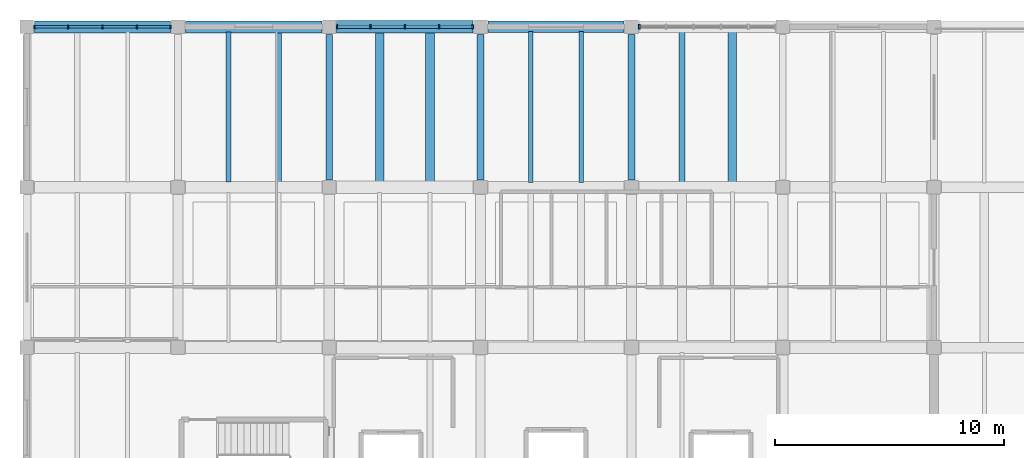
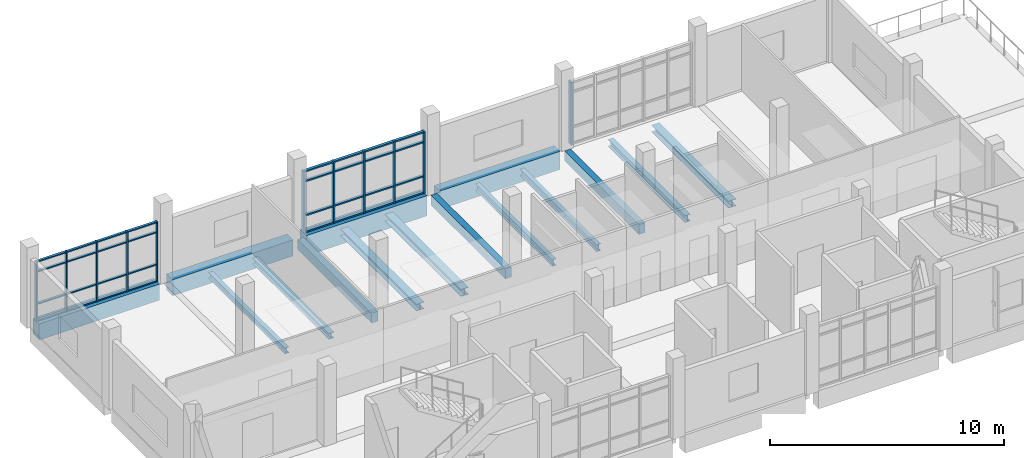
# One storey, part 4 of 14: 43 members, 15 beams, 3 elements without a shape of their own.
"""IFC4 building model written with IfcOpenShell, lengths in metres."""

from ifc_helpers import new_model, si_unit, direction, frame, origin, origin_2d, place, context, subcontext, project, spatial, rectangle, i_section, extrude, material, material_profile, profile_set, type_object, element, aggregate, save


model = new_model("IFC4")

# Units and contexts
model_context = context("Model", 3, precision=1e-05, world=origin(), true_north=direction((0.0, 1.0)))
body_context = subcontext(model_context, "Body", "Model", "MODEL_VIEW")
ifc_project = project(units=[si_unit("LENGTHUNIT", "METRE"), si_unit("AREAUNIT", "SQUARE_METRE"), si_unit("VOLUMEUNIT", "CUBIC_METRE"), si_unit("PLANEANGLEUNIT", "RADIAN"), si_unit("MASSUNIT", "GRAM", prefix="KILO")], contexts=[model_context])

# Site, building, storey
site_placement = place(None, origin())
site = spatial("IfcSite", under=ifc_project, at=site_placement, CompositionType="ELEMENT")
building_placement = place(site_placement, origin())
building = spatial("IfcBuilding", under=site, at=building_placement, Name="Ciguamira Faculty of Natural Sciences", CompositionType="ELEMENT")
storey_placement = place(building_placement, frame((0.0, 0.0, 29.39990234375)))
storey = spatial("IfcBuildingStorey", under=building, at=storey_placement, Name="L07", CompositionType="ELEMENT", Elevation=29.39990234375)

# Curtain wall, members
ifc_material_1 = material(Name="Anodized aluminium curtain wall", Category="aluminium")
curtain_wall_type_1 = type_object("IfcCurtainWallType", Name="CurtainWall_CW-07", PredefinedType="USERDEFINED", material=ifc_material_1)
curtain_wall_1_placement = place(storey_placement, origin())
curtain_wall_1 = element("IfcCurtainWall", 1, at=curtain_wall_1_placement, inside=storey, type_object=curtain_wall_type_1, Name="L07 unitised curtain wall 0151", ObjectType="UNITISED CURTAIN WALL", PredefinedType="USERDEFINED")
ifc_material_2 = material(Name="Anodized aluminium mullion", Category="aluminium")
ifc_material_profile_1 = material_profile(ifc_material_2, rectangle(XDim=0.06005859375, YDim=0.159912109375, at=origin_2d()), Name="ALU-MUL-60X160")
ifc_profile_set_1 = profile_set([ifc_material_profile_1], Name="Anodized aluminium mullion")
member_type_1 = type_object("IfcMemberType", Name="CWMullion_CWM-01", PredefinedType="MULLION", material=ifc_profile_set_1)
member_1_placement = place(storey_placement, frame((64.22998046875, 115.0, 0.0), z_axis=(0.0, 0.0, 1.0), x_axis=(1.0, 0.0, 0.0)))
member_1 = element("IfcMember", 2, at=member_1_placement, type_object=member_type_1, Name="CW-07 mullion 1", PredefinedType="MULLION", context=body_context, shape_type="SweptSolid", body=[
    extrude(rectangle(XDim=0.06005859375, YDim=0.159912109375, at=origin_2d()), origin(), (0.0, 0.0, 1.0), 3.135009765625),
])
member_2_placement = place(storey_placement, frame((65.699951171875, 115.0, 0.0), z_axis=(0.0, 0.0, 1.0), x_axis=(1.0, 0.0, 0.0)))
member_2 = element("IfcMember", 3, at=member_2_placement, type_object=member_type_1, Name="CW-07 mullion 2", PredefinedType="MULLION", context=body_context, shape_type="SweptSolid", body=[
    extrude(rectangle(XDim=0.06005859375, YDim=0.159912109375, at=origin_2d()), origin(), (0.0, 0.0, 1.0), 3.135009765625),
])
member_3_placement = place(storey_placement, frame((67.199951171875, 115.0, 0.0), z_axis=(0.0, 0.0, 1.0), x_axis=(1.0, 0.0, 0.0)))
member_3 = element("IfcMember", 4, at=member_3_placement, type_object=member_type_1, Name="CW-07 mullion 3", PredefinedType="MULLION", context=body_context, shape_type="SweptSolid", body=[
    extrude(rectangle(XDim=0.06005859375, YDim=0.159912109375, at=origin_2d()), origin(), (0.0, 0.0, 1.0), 3.135009765625),
])
member_4_placement = place(storey_placement, frame((68.699951171875, 115.0, 0.0), z_axis=(0.0, 0.0, 1.0), x_axis=(1.0, 0.0, 0.0)))
member_4 = element("IfcMember", 5, at=member_4_placement, type_object=member_type_1, Name="CW-07 mullion 4", PredefinedType="MULLION", context=body_context, shape_type="SweptSolid", body=[
    extrude(rectangle(XDim=0.06005859375, YDim=0.159912109375, at=origin_2d()), origin(), (0.0, 0.0, 1.0), 3.135009765625),
])
member_5_placement = place(storey_placement, frame((70.169921875, 115.0, 0.0), z_axis=(0.0, 0.0, 1.0), x_axis=(1.0, 0.0, 0.0)))
member_5 = element("IfcMember", 6, at=member_5_placement, type_object=member_type_1, Name="CW-07 mullion 5", PredefinedType="MULLION", context=body_context, shape_type="SweptSolid", body=[
    extrude(rectangle(XDim=0.06005859375, YDim=0.159912109375, at=origin_2d()), origin(), (0.0, 0.0, 1.0), 3.135009765625),
])

curtain_wall_type_2 = type_object("IfcCurtainWallType", Name="CurtainWall_CW-08", PredefinedType="USERDEFINED", material=ifc_material_1)
curtain_wall_2_placement = place(storey_placement, origin())
curtain_wall_2 = element("IfcCurtainWall", 7, at=curtain_wall_2_placement, inside=storey, type_object=curtain_wall_type_2, Name="L07 unitised curtain wall 0152", ObjectType="UNITISED CURTAIN WALL", PredefinedType="USERDEFINED")
ifc_material_profile_2 = material_profile(ifc_material_2, rectangle(XDim=0.070068359375, YDim=0.179931640625, at=origin_2d()), Name="ALU-MUL-70X180")
ifc_profile_set_2 = profile_set([ifc_material_profile_2], Name="Anodized aluminium mullion")
member_type_2 = type_object("IfcMemberType", Name="CWMullion_CWM-02", PredefinedType="MULLION", material=ifc_profile_set_2)
member_6_placement = place(storey_placement, frame((77.43505859375, 115.0, 0.0), z_axis=(0.0, 0.0, 1.0), x_axis=(1.0, 0.0, 0.0)))
member_6 = element("IfcMember", 8, at=member_6_placement, type_object=member_type_2, Name="CW-08 mullion 1", PredefinedType="MULLION", context=body_context, shape_type="SweptSolid", body=[
    extrude(rectangle(XDim=0.070068359375, YDim=0.179931640625, at=origin_2d()), origin(), (0.0, 0.0, 1.0), 3.235107421875),
])
member_7_placement = place(storey_placement, frame((78.89990234375, 115.0, 0.0), z_axis=(0.0, 0.0, 1.0), x_axis=(1.0, 0.0, 0.0)))
member_7 = element("IfcMember", 9, at=member_7_placement, type_object=member_type_2, Name="CW-08 mullion 2", PredefinedType="MULLION", context=body_context, shape_type="SweptSolid", body=[
    extrude(rectangle(XDim=0.070068359375, YDim=0.179931640625, at=origin_2d()), origin(), (0.0, 0.0, 1.0), 3.235107421875),
])
member_8_placement = place(storey_placement, frame((80.39990234375, 115.0, 0.0), z_axis=(0.0, 0.0, 1.0), x_axis=(1.0, 0.0, 0.0)))
member_8 = element("IfcMember", 10, at=member_8_placement, type_object=member_type_2, Name="CW-08 mullion 3", PredefinedType="MULLION", context=body_context, shape_type="SweptSolid", body=[
    extrude(rectangle(XDim=0.070068359375, YDim=0.179931640625, at=origin_2d()), origin(), (0.0, 0.0, 1.0), 3.235107421875),
])
member_9_placement = place(storey_placement, frame((81.89990234375, 115.0, 0.0), z_axis=(0.0, 0.0, 1.0), x_axis=(1.0, 0.0, 0.0)))
member_9 = element("IfcMember", 11, at=member_9_placement, type_object=member_type_2, Name="CW-08 mullion 4", PredefinedType="MULLION", context=body_context, shape_type="SweptSolid", body=[
    extrude(rectangle(XDim=0.070068359375, YDim=0.179931640625, at=origin_2d()), origin(), (0.0, 0.0, 1.0), 3.235107421875),
])
member_10_placement = place(storey_placement, frame((83.364990234375, 115.0, 0.0), z_axis=(0.0, 0.0, 1.0), x_axis=(1.0, 0.0, 0.0)))
member_10 = element("IfcMember", 12, at=member_10_placement, type_object=member_type_2, Name="CW-08 mullion 5", PredefinedType="MULLION", context=body_context, shape_type="SweptSolid", body=[
    extrude(rectangle(XDim=0.070068359375, YDim=0.179931640625, at=origin_2d()), origin(), (0.0, 0.0, 1.0), 3.235107421875),
])

# Curtain wall, member
curtain_wall_type_3 = type_object("IfcCurtainWallType", Name="CurtainWall_CW-09", PredefinedType="USERDEFINED", material=ifc_material_1)
curtain_wall_3_placement = place(storey_placement, origin())
curtain_wall_3 = element("IfcCurtainWall", 13, at=curtain_wall_3_placement, inside=storey, type_object=curtain_wall_type_3, Name="L07 unitised curtain wall 0153", ObjectType="UNITISED CURTAIN WALL", PredefinedType="USERDEFINED")
ifc_material_profile_3 = material_profile(ifc_material_2, rectangle(XDim=0.080078125, YDim=0.219970703125, at=origin_2d()), Name="ALU-MUL-80X220")
ifc_profile_set_3 = profile_set([ifc_material_profile_3], Name="Anodized aluminium mullion")
member_type_3 = type_object("IfcMemberType", Name="CWMullion_CWM-03", PredefinedType="MULLION", material=ifc_profile_set_3)
member_11_placement = place(storey_placement, frame((90.639892578125, 115.0, 0.0), z_axis=(0.0, 0.0, 1.0), x_axis=(1.0, 0.0, 0.0)))
member_11 = element("IfcMember", 14, at=member_11_placement, type_object=member_type_3, Name="CW-09 mullion 1", PredefinedType="MULLION", context=body_context, shape_type="SweptSolid", body=[
    extrude(rectangle(XDim=0.080078125, YDim=0.219970703125, at=origin_2d()), origin(), (0.0, 0.0, 1.0), 3.28515625),
])
aggregate(curtain_wall_3, [member_11])

# Member
ifc_material_3 = material(Name="Anodized aluminium transom", Category="aluminium")
ifc_material_profile_4 = material_profile(ifc_material_3, rectangle(XDim=0.06005859375, YDim=0.1201171875, at=origin_2d()), Name="ALU-TRN-60X120")
ifc_profile_set_4 = profile_set([ifc_material_profile_4], Name="Anodized aluminium transom")
member_type_4 = type_object("IfcMemberType", Name="CWTransom_CWT-01", PredefinedType="USERDEFINED", material=ifc_profile_set_4)
member_12_placement = place(storey_placement, frame((64.260009765625, 115.0, 0.030029296875), z_axis=(1.0, 0.0, 0.0), x_axis=(0.0, 0.0, 1.0)))
member_12 = element("IfcMember", 15, at=member_12_placement, type_object=member_type_4, Name="CW-07 transom 1.1", ObjectType="TRANSOM", PredefinedType="USERDEFINED", context=body_context, shape_type="SweptSolid", body=[
    extrude(rectangle(XDim=0.06005859375, YDim=0.1201171875, at=origin_2d()), origin(), (0.0, 0.0, 1.0), 1.409912109375),
])

member_13_placement = place(storey_placement, frame((64.260009765625, 115.0, 0.900146484375), z_axis=(1.0, 0.0, 0.0), x_axis=(0.0, 0.0, 1.0)))
member_13 = element("IfcMember", 16, at=member_13_placement, type_object=member_type_4, Name="CW-07 transom 1.2", ObjectType="TRANSOM", PredefinedType="USERDEFINED", context=body_context, shape_type="SweptSolid", body=[
    extrude(rectangle(XDim=0.06005859375, YDim=0.1201171875, at=origin_2d()), origin(), (0.0, 0.0, 1.0), 1.409912109375),
])

member_14_placement = place(storey_placement, frame((64.260009765625, 115.0, 2.585205078125), z_axis=(1.0, 0.0, 0.0), x_axis=(0.0, 0.0, 1.0)))
member_14 = element("IfcMember", 17, at=member_14_placement, type_object=member_type_4, Name="CW-07 transom 1.3", ObjectType="TRANSOM", PredefinedType="USERDEFINED", context=body_context, shape_type="SweptSolid", body=[
    extrude(rectangle(XDim=0.06005859375, YDim=0.1201171875, at=origin_2d()), origin(), (0.0, 0.0, 1.0), 1.409912109375),
])

member_15_placement = place(storey_placement, frame((64.260009765625, 115.0, 3.10498046875), z_axis=(1.0, 0.0, 0.0), x_axis=(0.0, 0.0, 1.0)))
member_15 = element("IfcMember", 18, at=member_15_placement, type_object=member_type_4, Name="CW-07 transom 1.4", ObjectType="TRANSOM", PredefinedType="USERDEFINED", context=body_context, shape_type="SweptSolid", body=[
    extrude(rectangle(XDim=0.06005859375, YDim=0.1201171875, at=origin_2d()), origin(), (0.0, 0.0, 1.0), 1.409912109375),
])

member_16_placement = place(storey_placement, frame((65.72998046875, 115.0, 0.030029296875), z_axis=(1.0, 0.0, 0.0), x_axis=(0.0, 0.0, 1.0)))
member_16 = element("IfcMember", 19, at=member_16_placement, type_object=member_type_4, Name="CW-07 transom 2.1", ObjectType="TRANSOM", PredefinedType="USERDEFINED", context=body_context, shape_type="SweptSolid", body=[
    extrude(rectangle(XDim=0.06005859375, YDim=0.1201171875, at=origin_2d()), origin(), (0.0, 0.0, 1.0), 1.43994140625),
])

member_17_placement = place(storey_placement, frame((65.72998046875, 115.0, 0.900146484375), z_axis=(1.0, 0.0, 0.0), x_axis=(0.0, 0.0, 1.0)))
member_17 = element("IfcMember", 20, at=member_17_placement, type_object=member_type_4, Name="CW-07 transom 2.2", ObjectType="TRANSOM", PredefinedType="USERDEFINED", context=body_context, shape_type="SweptSolid", body=[
    extrude(rectangle(XDim=0.06005859375, YDim=0.1201171875, at=origin_2d()), origin(), (0.0, 0.0, 1.0), 1.43994140625),
])

member_18_placement = place(storey_placement, frame((65.72998046875, 115.0, 2.585205078125), z_axis=(1.0, 0.0, 0.0), x_axis=(0.0, 0.0, 1.0)))
member_18 = element("IfcMember", 21, at=member_18_placement, type_object=member_type_4, Name="CW-07 transom 2.3", ObjectType="TRANSOM", PredefinedType="USERDEFINED", context=body_context, shape_type="SweptSolid", body=[
    extrude(rectangle(XDim=0.06005859375, YDim=0.1201171875, at=origin_2d()), origin(), (0.0, 0.0, 1.0), 1.43994140625),
])

member_19_placement = place(storey_placement, frame((65.72998046875, 115.0, 3.10498046875), z_axis=(1.0, 0.0, 0.0), x_axis=(0.0, 0.0, 1.0)))
member_19 = element("IfcMember", 22, at=member_19_placement, type_object=member_type_4, Name="CW-07 transom 2.4", ObjectType="TRANSOM", PredefinedType="USERDEFINED", context=body_context, shape_type="SweptSolid", body=[
    extrude(rectangle(XDim=0.06005859375, YDim=0.1201171875, at=origin_2d()), origin(), (0.0, 0.0, 1.0), 1.43994140625),
])

member_20_placement = place(storey_placement, frame((67.22998046875, 115.0, 0.030029296875), z_axis=(1.0, 0.0, 0.0), x_axis=(0.0, 0.0, 1.0)))
member_20 = element("IfcMember", 23, at=member_20_placement, type_object=member_type_4, Name="CW-07 transom 3.1", ObjectType="TRANSOM", PredefinedType="USERDEFINED", context=body_context, shape_type="SweptSolid", body=[
    extrude(rectangle(XDim=0.06005859375, YDim=0.1201171875, at=origin_2d()), origin(), (0.0, 0.0, 1.0), 1.43994140625),
])

member_21_placement = place(storey_placement, frame((67.22998046875, 115.0, 0.900146484375), z_axis=(1.0, 0.0, 0.0), x_axis=(0.0, 0.0, 1.0)))
member_21 = element("IfcMember", 24, at=member_21_placement, type_object=member_type_4, Name="CW-07 transom 3.2", ObjectType="TRANSOM", PredefinedType="USERDEFINED", context=body_context, shape_type="SweptSolid", body=[
    extrude(rectangle(XDim=0.06005859375, YDim=0.1201171875, at=origin_2d()), origin(), (0.0, 0.0, 1.0), 1.43994140625),
])

member_22_placement = place(storey_placement, frame((67.22998046875, 115.0, 2.585205078125), z_axis=(1.0, 0.0, 0.0), x_axis=(0.0, 0.0, 1.0)))
member_22 = element("IfcMember", 25, at=member_22_placement, type_object=member_type_4, Name="CW-07 transom 3.3", ObjectType="TRANSOM", PredefinedType="USERDEFINED", context=body_context, shape_type="SweptSolid", body=[
    extrude(rectangle(XDim=0.06005859375, YDim=0.1201171875, at=origin_2d()), origin(), (0.0, 0.0, 1.0), 1.43994140625),
])

member_23_placement = place(storey_placement, frame((67.22998046875, 115.0, 3.10498046875), z_axis=(1.0, 0.0, 0.0), x_axis=(0.0, 0.0, 1.0)))
member_23 = element("IfcMember", 26, at=member_23_placement, type_object=member_type_4, Name="CW-07 transom 3.4", ObjectType="TRANSOM", PredefinedType="USERDEFINED", context=body_context, shape_type="SweptSolid", body=[
    extrude(rectangle(XDim=0.06005859375, YDim=0.1201171875, at=origin_2d()), origin(), (0.0, 0.0, 1.0), 1.43994140625),
])

member_24_placement = place(storey_placement, frame((68.72998046875, 115.0, 0.030029296875), z_axis=(1.0, 0.0, 0.0), x_axis=(0.0, 0.0, 1.0)))
member_24 = element("IfcMember", 27, at=member_24_placement, type_object=member_type_4, Name="CW-07 transom 4.1", ObjectType="TRANSOM", PredefinedType="USERDEFINED", context=body_context, shape_type="SweptSolid", body=[
    extrude(rectangle(XDim=0.06005859375, YDim=0.1201171875, at=origin_2d()), origin(), (0.0, 0.0, 1.0), 1.409912109375),
])

member_25_placement = place(storey_placement, frame((68.72998046875, 115.0, 0.900146484375), z_axis=(1.0, 0.0, 0.0), x_axis=(0.0, 0.0, 1.0)))
member_25 = element("IfcMember", 28, at=member_25_placement, type_object=member_type_4, Name="CW-07 transom 4.2", ObjectType="TRANSOM", PredefinedType="USERDEFINED", context=body_context, shape_type="SweptSolid", body=[
    extrude(rectangle(XDim=0.06005859375, YDim=0.1201171875, at=origin_2d()), origin(), (0.0, 0.0, 1.0), 1.409912109375),
])

member_26_placement = place(storey_placement, frame((68.72998046875, 115.0, 2.585205078125), z_axis=(1.0, 0.0, 0.0), x_axis=(0.0, 0.0, 1.0)))
member_26 = element("IfcMember", 29, at=member_26_placement, type_object=member_type_4, Name="CW-07 transom 4.3", ObjectType="TRANSOM", PredefinedType="USERDEFINED", context=body_context, shape_type="SweptSolid", body=[
    extrude(rectangle(XDim=0.06005859375, YDim=0.1201171875, at=origin_2d()), origin(), (0.0, 0.0, 1.0), 1.409912109375),
])

member_27_placement = place(storey_placement, frame((68.72998046875, 115.0, 3.10498046875), z_axis=(1.0, 0.0, 0.0), x_axis=(0.0, 0.0, 1.0)))
member_27 = element("IfcMember", 30, at=member_27_placement, type_object=member_type_4, Name="CW-07 transom 4.4", ObjectType="TRANSOM", PredefinedType="USERDEFINED", context=body_context, shape_type="SweptSolid", body=[
    extrude(rectangle(XDim=0.06005859375, YDim=0.1201171875, at=origin_2d()), origin(), (0.0, 0.0, 1.0), 1.409912109375),
])

aggregate(curtain_wall_1, [member_1, member_2, member_3, member_4, member_5, member_12, member_13, member_14, member_15, member_16, member_17, member_18, member_19, member_20, member_21, member_22, member_23, member_24, member_25, member_26, member_27])

ifc_material_profile_5 = material_profile(ifc_material_3, rectangle(XDim=0.070068359375, YDim=0.139892578125, at=origin_2d()), Name="ALU-TRN-70X140")
ifc_profile_set_5 = profile_set([ifc_material_profile_5], Name="Anodized aluminium transom")
member_type_5 = type_object("IfcMemberType", Name="CWTransom_CWT-02", PredefinedType="USERDEFINED", material=ifc_profile_set_5)
member_28_placement = place(storey_placement, frame((77.469970703125, 115.0, 0.03515625), z_axis=(1.0, 0.0, 0.0), x_axis=(0.0, 0.0, 1.0)))
member_28 = element("IfcMember", 31, at=member_28_placement, type_object=member_type_5, Name="CW-08 transom 1.1", ObjectType="TRANSOM", PredefinedType="USERDEFINED", context=body_context, shape_type="SweptSolid", body=[
    extrude(rectangle(XDim=0.070068359375, YDim=0.139892578125, at=origin_2d()), origin(), (0.0, 0.0, 1.0), 1.39501953125),
])

member_29_placement = place(storey_placement, frame((77.469970703125, 115.0, 0.900146484375), z_axis=(1.0, 0.0, 0.0), x_axis=(0.0, 0.0, 1.0)))
member_29 = element("IfcMember", 32, at=member_29_placement, type_object=member_type_5, Name="CW-08 transom 1.2", ObjectType="TRANSOM", PredefinedType="USERDEFINED", context=body_context, shape_type="SweptSolid", body=[
    extrude(rectangle(XDim=0.070068359375, YDim=0.139892578125, at=origin_2d()), origin(), (0.0, 0.0, 1.0), 1.39501953125),
])

member_30_placement = place(storey_placement, frame((77.469970703125, 115.0, 2.68505859375), z_axis=(1.0, 0.0, 0.0), x_axis=(0.0, 0.0, 1.0)))
member_30 = element("IfcMember", 33, at=member_30_placement, type_object=member_type_5, Name="CW-08 transom 1.3", ObjectType="TRANSOM", PredefinedType="USERDEFINED", context=body_context, shape_type="SweptSolid", body=[
    extrude(rectangle(XDim=0.070068359375, YDim=0.139892578125, at=origin_2d()), origin(), (0.0, 0.0, 1.0), 1.39501953125),
])

member_31_placement = place(storey_placement, frame((77.469970703125, 115.0, 3.2001953125), z_axis=(1.0, 0.0, 0.0), x_axis=(0.0, 0.0, 1.0)))
member_31 = element("IfcMember", 34, at=member_31_placement, type_object=member_type_5, Name="CW-08 transom 1.4", ObjectType="TRANSOM", PredefinedType="USERDEFINED", context=body_context, shape_type="SweptSolid", body=[
    extrude(rectangle(XDim=0.070068359375, YDim=0.139892578125, at=origin_2d()), origin(), (0.0, 0.0, 1.0), 1.39501953125),
])

member_32_placement = place(storey_placement, frame((78.93505859375, 115.0, 0.03515625), z_axis=(1.0, 0.0, 0.0), x_axis=(0.0, 0.0, 1.0)))
member_32 = element("IfcMember", 35, at=member_32_placement, type_object=member_type_5, Name="CW-08 transom 2.1", ObjectType="TRANSOM", PredefinedType="USERDEFINED", context=body_context, shape_type="SweptSolid", body=[
    extrude(rectangle(XDim=0.070068359375, YDim=0.139892578125, at=origin_2d()), origin(), (0.0, 0.0, 1.0), 1.429931640625),
])

member_33_placement = place(storey_placement, frame((78.93505859375, 115.0, 0.900146484375), z_axis=(1.0, 0.0, 0.0), x_axis=(0.0, 0.0, 1.0)))
member_33 = element("IfcMember", 36, at=member_33_placement, type_object=member_type_5, Name="CW-08 transom 2.2", ObjectType="TRANSOM", PredefinedType="USERDEFINED", context=body_context, shape_type="SweptSolid", body=[
    extrude(rectangle(XDim=0.070068359375, YDim=0.139892578125, at=origin_2d()), origin(), (0.0, 0.0, 1.0), 1.429931640625),
])

member_34_placement = place(storey_placement, frame((78.93505859375, 115.0, 2.68505859375), z_axis=(1.0, 0.0, 0.0), x_axis=(0.0, 0.0, 1.0)))
member_34 = element("IfcMember", 37, at=member_34_placement, type_object=member_type_5, Name="CW-08 transom 2.3", ObjectType="TRANSOM", PredefinedType="USERDEFINED", context=body_context, shape_type="SweptSolid", body=[
    extrude(rectangle(XDim=0.070068359375, YDim=0.139892578125, at=origin_2d()), origin(), (0.0, 0.0, 1.0), 1.429931640625),
])

member_35_placement = place(storey_placement, frame((78.93505859375, 115.0, 3.2001953125), z_axis=(1.0, 0.0, 0.0), x_axis=(0.0, 0.0, 1.0)))
member_35 = element("IfcMember", 38, at=member_35_placement, type_object=member_type_5, Name="CW-08 transom 2.4", ObjectType="TRANSOM", PredefinedType="USERDEFINED", context=body_context, shape_type="SweptSolid", body=[
    extrude(rectangle(XDim=0.070068359375, YDim=0.139892578125, at=origin_2d()), origin(), (0.0, 0.0, 1.0), 1.429931640625),
])

member_36_placement = place(storey_placement, frame((80.43505859375, 115.0, 0.03515625), z_axis=(1.0, 0.0, 0.0), x_axis=(0.0, 0.0, 1.0)))
member_36 = element("IfcMember", 39, at=member_36_placement, type_object=member_type_5, Name="CW-08 transom 3.1", ObjectType="TRANSOM", PredefinedType="USERDEFINED", context=body_context, shape_type="SweptSolid", body=[
    extrude(rectangle(XDim=0.070068359375, YDim=0.139892578125, at=origin_2d()), origin(), (0.0, 0.0, 1.0), 1.429931640625),
])

member_37_placement = place(storey_placement, frame((80.43505859375, 115.0, 0.900146484375), z_axis=(1.0, 0.0, 0.0), x_axis=(0.0, 0.0, 1.0)))
member_37 = element("IfcMember", 40, at=member_37_placement, type_object=member_type_5, Name="CW-08 transom 3.2", ObjectType="TRANSOM", PredefinedType="USERDEFINED", context=body_context, shape_type="SweptSolid", body=[
    extrude(rectangle(XDim=0.070068359375, YDim=0.139892578125, at=origin_2d()), origin(), (0.0, 0.0, 1.0), 1.429931640625),
])

member_38_placement = place(storey_placement, frame((80.43505859375, 115.0, 2.68505859375), z_axis=(1.0, 0.0, 0.0), x_axis=(0.0, 0.0, 1.0)))
member_38 = element("IfcMember", 41, at=member_38_placement, type_object=member_type_5, Name="CW-08 transom 3.3", ObjectType="TRANSOM", PredefinedType="USERDEFINED", context=body_context, shape_type="SweptSolid", body=[
    extrude(rectangle(XDim=0.070068359375, YDim=0.139892578125, at=origin_2d()), origin(), (0.0, 0.0, 1.0), 1.429931640625),
])

member_39_placement = place(storey_placement, frame((80.43505859375, 115.0, 3.2001953125), z_axis=(1.0, 0.0, 0.0), x_axis=(0.0, 0.0, 1.0)))
member_39 = element("IfcMember", 42, at=member_39_placement, type_object=member_type_5, Name="CW-08 transom 3.4", ObjectType="TRANSOM", PredefinedType="USERDEFINED", context=body_context, shape_type="SweptSolid", body=[
    extrude(rectangle(XDim=0.070068359375, YDim=0.139892578125, at=origin_2d()), origin(), (0.0, 0.0, 1.0), 1.429931640625),
])

member_40_placement = place(storey_placement, frame((81.93505859375, 115.0, 0.03515625), z_axis=(1.0, 0.0, 0.0), x_axis=(0.0, 0.0, 1.0)))
member_40 = element("IfcMember", 43, at=member_40_placement, type_object=member_type_5, Name="CW-08 transom 4.1", ObjectType="TRANSOM", PredefinedType="USERDEFINED", context=body_context, shape_type="SweptSolid", body=[
    extrude(rectangle(XDim=0.070068359375, YDim=0.139892578125, at=origin_2d()), origin(), (0.0, 0.0, 1.0), 1.39501953125),
])

member_41_placement = place(storey_placement, frame((81.93505859375, 115.0, 0.900146484375), z_axis=(1.0, 0.0, 0.0), x_axis=(0.0, 0.0, 1.0)))
member_41 = element("IfcMember", 44, at=member_41_placement, type_object=member_type_5, Name="CW-08 transom 4.2", ObjectType="TRANSOM", PredefinedType="USERDEFINED", context=body_context, shape_type="SweptSolid", body=[
    extrude(rectangle(XDim=0.070068359375, YDim=0.139892578125, at=origin_2d()), origin(), (0.0, 0.0, 1.0), 1.39501953125),
])

member_42_placement = place(storey_placement, frame((81.93505859375, 115.0, 2.68505859375), z_axis=(1.0, 0.0, 0.0), x_axis=(0.0, 0.0, 1.0)))
member_42 = element("IfcMember", 45, at=member_42_placement, type_object=member_type_5, Name="CW-08 transom 4.3", ObjectType="TRANSOM", PredefinedType="USERDEFINED", context=body_context, shape_type="SweptSolid", body=[
    extrude(rectangle(XDim=0.070068359375, YDim=0.139892578125, at=origin_2d()), origin(), (0.0, 0.0, 1.0), 1.39501953125),
])

member_43_placement = place(storey_placement, frame((81.93505859375, 115.0, 3.2001953125), z_axis=(1.0, 0.0, 0.0), x_axis=(0.0, 0.0, 1.0)))
member_43 = element("IfcMember", 46, at=member_43_placement, type_object=member_type_5, Name="CW-08 transom 4.4", ObjectType="TRANSOM", PredefinedType="USERDEFINED", context=body_context, shape_type="SweptSolid", body=[
    extrude(rectangle(XDim=0.070068359375, YDim=0.139892578125, at=origin_2d()), origin(), (0.0, 0.0, 1.0), 1.39501953125),
])

aggregate(curtain_wall_2, [member_6, member_7, member_8, member_9, member_10, member_28, member_29, member_30, member_31, member_32, member_33, member_34, member_35, member_36, member_37, member_38, member_39, member_40, member_41, member_42, member_43])

# Beams
ifc_material_4 = material(Name="Concrete C40/50", Category="concrete")
ifc_material_profile_6 = material_profile(ifc_material_4, rectangle(XDim=0.550048828125, YDim=1.050048828125, at=origin_2d()), Name="RC-BM-550X1050")
ifc_profile_set_6 = profile_set([ifc_material_profile_6], Name="Concrete C40/50")
beam_type_1 = type_object("IfcBeamType", Name="RCBeam_BG-01_RC-BM-550X1050", PredefinedType="BEAM", material=ifc_profile_set_6)
beam_1_placement = place(storey_placement, frame((77.425048828125, 115.0, -0.52490234375), z_axis=(1.0, 0.0, 0.0), x_axis=(0.0, 1.0, 0.0)))
element("IfcBeam", 47, at=beam_1_placement, inside=storey, type_object=beam_type_1, Name="L07 RC girder EW-1567", PredefinedType="BEAM", context=body_context, shape_type="SweptSolid", body=[
    extrude(rectangle(XDim=0.550048828125, YDim=1.050048828125, at=origin_2d()), origin(), (0.0, 0.0, 1.0), 5.949951171875),
])
ifc_material_profile_7 = material_profile(ifc_material_4, rectangle(XDim=0.5, YDim=0.949951171875, at=origin_2d()), Name="RC-BM-500X950")
ifc_profile_set_7 = profile_set([ifc_material_profile_7], Name="Concrete C40/50")
beam_type_2 = type_object("IfcBeamType", Name="RCBeam_BG-02_RC-BM-500X950", PredefinedType="BEAM", material=ifc_profile_set_7)
beam_2_placement = place(storey_placement, frame((84.02490234375, 115.0, -0.474853515625), z_axis=(1.0, 0.0, 0.0), x_axis=(0.0, 1.0, 0.0)))
element("IfcBeam", 48, at=beam_2_placement, inside=storey, type_object=beam_type_2, Name="L07 RC girder EW-1568", PredefinedType="BEAM", context=body_context, shape_type="SweptSolid", body=[
    extrude(rectangle(XDim=0.5, YDim=0.949951171875, at=origin_2d()), origin(), (0.0, 0.0, 1.0), 5.9501953125),
])
ifc_material_profile_8 = material_profile(ifc_material_4, rectangle(XDim=0.300048828125, YDim=0.52001953125, at=origin_2d()), Name="RC-BM-300X520")
ifc_profile_set_8 = profile_set([ifc_material_profile_8], Name="Concrete C40/50")
beam_type_3 = type_object("IfcBeamType", Name="RCBeam_BG-13_RC-BM-300X520", PredefinedType="BEAM", material=ifc_profile_set_8)
for number, where, z_axis, x_axis, name in (
    (49, (77.10009765625, 108.324951171875, -0.260009765625), (0.0, 1.0, 0.0), (-1.0, 0.0, 0.0), "L07 girder NS-1578"),
    (50, (83.699951171875, 108.324951171875, -0.260009765625), (0.0, 1.0, 0.0), (-1.0, 0.0, 0.0), "L07 girder NS-1581"),
    (51, (90.300048828125, 108.324951171875, -0.260009765625), (0.0, 1.0, 0.0), (-1.0, 0.0, 0.0), "L07 girder NS-1584"),
):
    element("IfcBeam", number, at=place(storey_placement, frame(where, z_axis=z_axis, x_axis=x_axis)), inside=storey, type_object=beam_type_3, Name=name, PredefinedType="BEAM", context=body_context, shape_type="SweptSolid", body=[
        extrude(rectangle(XDim=0.300048828125, YDim=0.52001953125, at=origin_2d()), origin(), (0.0, 0.0, 1.0), 6.35009765625),
    ])
ifc_material_profile_9 = material_profile(ifc_material_4, rectangle(XDim=0.52001953125, YDim=0.840087890625, at=origin_2d()), Name="RC-TB-520X840")
ifc_profile_set_9 = profile_set([ifc_material_profile_9], Name="Concrete C40/50")
beam_type_4 = type_object("IfcBeamType", Name="RCBeam_TB-02_RC-TB-520X840", PredefinedType="T_BEAM", material=ifc_profile_set_9)
for number, where, z_axis, x_axis, name in (
    (52, (64.22509765625, 115.0, -0.419921875), (1.0, 0.0, 0.0), (0.0, 1.0, 0.0), "L07 RC girder EW-1565"),
    (53, (70.824951171875, 115.0, -0.419921875), (1.0, 0.0, 0.0), (0.0, 1.0, 0.0), "L07 RC girder EW-1566"),
):
    element("IfcBeam", number, at=place(storey_placement, frame(where, z_axis=z_axis, x_axis=x_axis)), inside=storey, type_object=beam_type_4, Name=name, PredefinedType="T_BEAM", context=body_context, shape_type="SweptSolid", body=[
        extrude(rectangle(XDim=0.52001953125, YDim=0.840087890625, at=origin_2d()), origin(), (0.0, 0.0, 1.0), 5.949951171875),
    ])
ifc_material_5 = material(Name="Steel ASTM A992 Grade 50", Category="steel")
ifc_material_profile_10 = material_profile(ifc_material_5, i_section(OverallWidth=0.20458984375, OverallDepth=0.307373046875, WebThickness=0.008544921875, FlangeThickness=0.0146484375, at=origin_2d()), Name="W12X45")
ifc_profile_set_10 = profile_set([ifc_material_profile_10], Name="Steel ASTM A992 Grade 50")
beam_type_5 = type_object("IfcBeamType", Name="SteelJoist_SJ-06_W12X45", PredefinedType="JOIST", material=ifc_profile_set_10)
beam_3_placement = place(storey_placement, frame((72.699951171875, 108.219970703125, -0.3935546875), z_axis=(0.0, 1.0, 0.0), x_axis=(-1.0, 0.0, 0.0)))
element("IfcBeam", 54, at=beam_3_placement, inside=storey, type_object=beam_type_5, Name="L07 composite steel joist 01424", PredefinedType="JOIST", context=body_context, shape_type="SweptSolid", body=[
    extrude(i_section(OverallWidth=0.20458984375, OverallDepth=0.307373046875, WebThickness=0.008544921875, FlangeThickness=0.0146484375, at=origin_2d()), origin(), (0.0, 0.0, 1.0), 6.56005859375),
])
ifc_material_profile_11 = material_profile(ifc_material_5, i_section(OverallWidth=0.25390625, OverallDepth=0.307373046875, WebThickness=0.0087890625, FlangeThickness=0.0146484375, at=origin_2d()), Name="W12X53")
ifc_profile_set_11 = profile_set([ifc_material_profile_11], Name="Steel ASTM A992 Grade 50")
beam_type_6 = type_object("IfcBeamType", Name="SteelJoist_SJ-07_W12X53", PredefinedType="JOIST", material=ifc_profile_set_11)
beam_4_placement = place(storey_placement, frame((74.89990234375, 108.219970703125, -0.3935546875), z_axis=(0.0, 1.0, 0.0), x_axis=(-1.0, 0.0, 0.0)))
element("IfcBeam", 55, at=beam_4_placement, inside=storey, type_object=beam_type_6, Name="L07 composite steel joist 01425", PredefinedType="JOIST", context=body_context, shape_type="SweptSolid", body=[
    extrude(i_section(OverallWidth=0.25390625, OverallDepth=0.307373046875, WebThickness=0.0087890625, FlangeThickness=0.0146484375, at=origin_2d()), origin(), (0.0, 0.0, 1.0), 6.56005859375),
])
ifc_material_profile_12 = material_profile(ifc_material_5, i_section(OverallWidth=0.370849609375, OverallDepth=0.36328125, WebThickness=0.013427734375, FlangeThickness=0.021728515625, at=origin_2d()), Name="W14X109")
ifc_profile_set_12 = profile_set([ifc_material_profile_12], Name="Steel ASTM A992 Grade 50")
beam_type_7 = type_object("IfcBeamType", Name="SteelJoist_SJ-09_W14X109", PredefinedType="JOIST", material=ifc_profile_set_12)
beam_5_placement = place(storey_placement, frame((79.300048828125, 108.235107421875, -0.42138671875), z_axis=(0.0, 1.0, 0.0), x_axis=(-1.0, 0.0, 0.0)))
element("IfcBeam", 56, at=beam_5_placement, inside=storey, type_object=beam_type_7, Name="L07 composite steel joist 01429", PredefinedType="JOIST", context=body_context, shape_type="SweptSolid", body=[
    extrude(i_section(OverallWidth=0.370849609375, OverallDepth=0.36328125, WebThickness=0.013427734375, FlangeThickness=0.021728515625, at=origin_2d()), origin(), (0.0, 0.0, 1.0), 6.52978515625),
])
ifc_material_profile_13 = material_profile(ifc_material_5, i_section(OverallWidth=0.373291015625, OverallDepth=0.373291015625, WebThickness=0.016357421875, FlangeThickness=0.026123046875, at=origin_2d()), Name="W14X132")
ifc_profile_set_13 = profile_set([ifc_material_profile_13], Name="Steel ASTM A992 Grade 50")
beam_type_8 = type_object("IfcBeamType", Name="SteelJoist_SJ-10_W14X132", PredefinedType="JOIST", material=ifc_profile_set_13)
beam_6_placement = place(storey_placement, frame((81.5, 108.235107421875, -0.426513671875), z_axis=(0.0, 1.0, 0.0), x_axis=(-1.0, 0.0, 0.0)))
element("IfcBeam", 57, at=beam_6_placement, inside=storey, type_object=beam_type_8, Name="L07 composite steel joist 01430", PredefinedType="JOIST", context=body_context, shape_type="SweptSolid", body=[
    extrude(i_section(OverallWidth=0.373291015625, OverallDepth=0.373291015625, WebThickness=0.016357421875, FlangeThickness=0.026123046875, at=origin_2d()), origin(), (0.0, 0.0, 1.0), 6.52978515625),
])
ifc_material_profile_14 = material_profile(ifc_material_5, i_section(OverallWidth=0.203125, OverallDepth=0.347900390625, WebThickness=0.0078125, FlangeThickness=0.013427734375, at=origin_2d()), Name="W14X43")
ifc_profile_set_14 = profile_set([ifc_material_profile_14], Name="Steel ASTM A992 Grade 50")
beam_type_9 = type_object("IfcBeamType", Name="SteelJoist_SJ-12_W14X43", PredefinedType="JOIST", material=ifc_profile_set_14)
beam_7_placement = place(storey_placement, frame((85.89990234375, 108.2099609375, -0.413818359375), z_axis=(0.0, 1.0, 0.0), x_axis=(-1.0, 0.0, 0.0)))
element("IfcBeam", 58, at=beam_7_placement, inside=storey, type_object=beam_type_9, Name="L07 composite steel joist 01433", PredefinedType="JOIST", context=body_context, shape_type="SweptSolid", body=[
    extrude(i_section(OverallWidth=0.203125, OverallDepth=0.347900390625, WebThickness=0.0078125, FlangeThickness=0.013427734375, at=origin_2d()), origin(), (0.0, 0.0, 1.0), 6.580078125),
])
ifc_material_profile_15 = material_profile(ifc_material_5, i_section(OverallWidth=0.204833984375, OverallDepth=0.35302734375, WebThickness=0.00927734375, FlangeThickness=0.016845703125, at=origin_2d()), Name="W14X53")
ifc_profile_set_15 = profile_set([ifc_material_profile_15], Name="Steel ASTM A992 Grade 50")
beam_type_10 = type_object("IfcBeamType", Name="SteelJoist_SJ-13_W14X53", PredefinedType="JOIST", material=ifc_profile_set_15)
beam_8_placement = place(storey_placement, frame((88.10009765625, 108.2099609375, -0.41650390625), z_axis=(0.0, 1.0, 0.0), x_axis=(-1.0, 0.0, 0.0)))
element("IfcBeam", 59, at=beam_8_placement, inside=storey, type_object=beam_type_10, Name="L07 composite steel joist 01434", PredefinedType="JOIST", context=body_context, shape_type="SweptSolid", body=[
    extrude(i_section(OverallWidth=0.204833984375, OverallDepth=0.35302734375, WebThickness=0.00927734375, FlangeThickness=0.016845703125, at=origin_2d()), origin(), (0.0, 0.0, 1.0), 6.580078125),
])
ifc_material_profile_16 = material_profile(ifc_material_5, i_section(OverallWidth=0.256591796875, OverallDepth=0.36328125, WebThickness=0.012939453125, FlangeThickness=0.021728515625, at=origin_2d()), Name="W14X82")
ifc_profile_set_16 = profile_set([ifc_material_profile_16], Name="Steel ASTM A992 Grade 50")
beam_type_11 = type_object("IfcBeamType", Name="SteelJoist_SJ-15_W14X82", PredefinedType="JOIST", material=ifc_profile_set_16)
beam_9_placement = place(storey_placement, frame((92.5, 108.2099609375, -0.42138671875), z_axis=(0.0, 1.0, 0.0), x_axis=(-1.0, 0.0, 0.0)))
element("IfcBeam", 60, at=beam_9_placement, inside=storey, type_object=beam_type_11, Name="L07 composite steel joist 01438", PredefinedType="JOIST", context=body_context, shape_type="SweptSolid", body=[
    extrude(i_section(OverallWidth=0.256591796875, OverallDepth=0.36328125, WebThickness=0.012939453125, FlangeThickness=0.021728515625, at=origin_2d()), origin(), (0.0, 0.0, 1.0), 6.580078125),
])
ifc_material_profile_17 = material_profile(ifc_material_5, i_section(OverallWidth=0.368408203125, OverallDepth=0.355712890625, WebThickness=0.01123046875, FlangeThickness=0.01806640625, at=origin_2d()), Name="W14X90")
ifc_profile_set_17 = profile_set([ifc_material_profile_17], Name="Steel ASTM A992 Grade 50")
beam_type_12 = type_object("IfcBeamType", Name="SteelJoist_SJ-16_W14X90", PredefinedType="JOIST", material=ifc_profile_set_17)
beam_10_placement = place(storey_placement, frame((94.699951171875, 108.2099609375, -0.417724609375), z_axis=(0.0, 1.0, 0.0), x_axis=(-1.0, 0.0, 0.0)))
element("IfcBeam", 61, at=beam_10_placement, inside=storey, type_object=beam_type_12, Name="L07 composite steel joist 01439", PredefinedType="JOIST", context=body_context, shape_type="SweptSolid", body=[
    extrude(i_section(OverallWidth=0.368408203125, OverallDepth=0.355712890625, WebThickness=0.01123046875, FlangeThickness=0.01806640625, at=origin_2d()), origin(), (0.0, 0.0, 1.0), 6.580078125),
])

save(model, "model.ifc")
